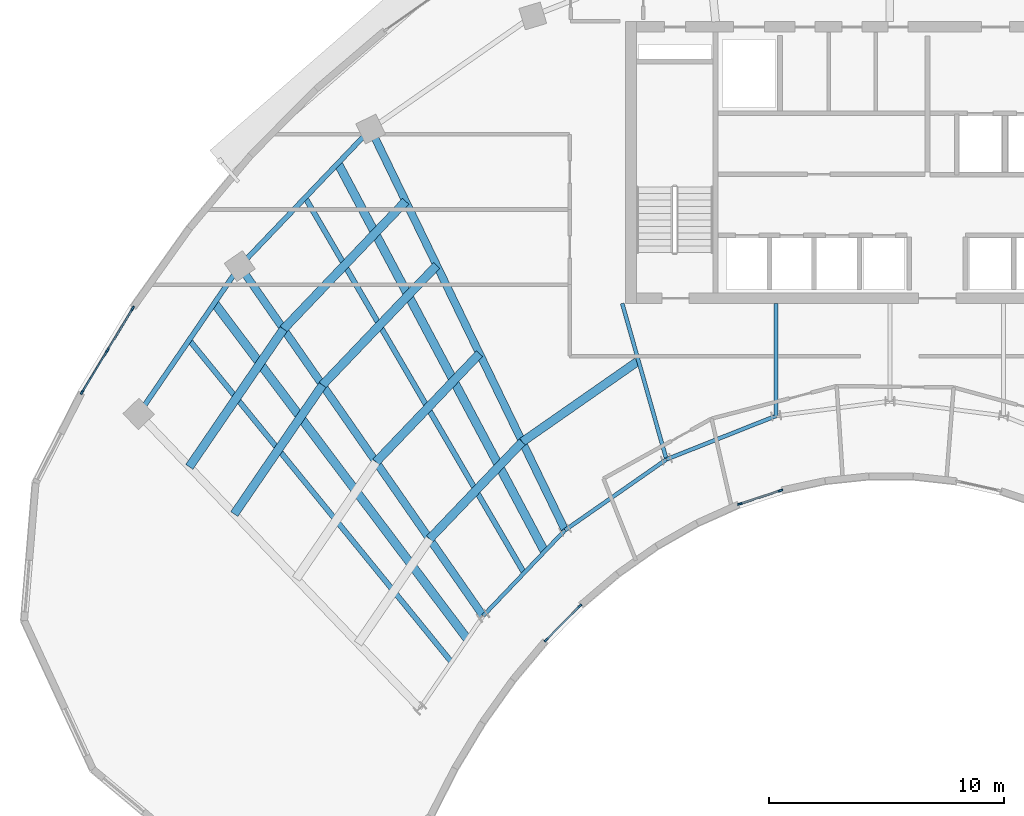
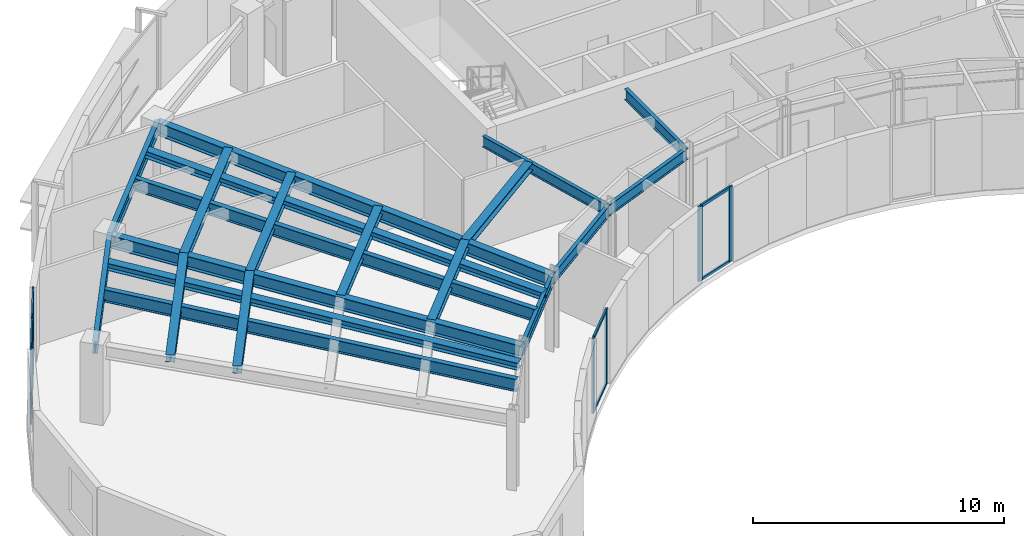
# One storey, part 2 of 12: 20 beams, 17 members, 3 elements without a shape of their own.
"""IFC4 building model written with IfcOpenShell, lengths in metres."""

from ifc_helpers import new_model, si_unit, direction, frame, origin, origin_2d, place, context, subcontext, project, spatial, rectangle, i_section, extrude, source, transform, mapped, material, layer, layer_set, material_profile, profile_set, type_object, type_shapes, element, aggregate, save


model = new_model("IFC4")

# Units and contexts
model_context = context("Model", 3, precision=1e-05, world=origin(), true_north=direction((0.0, 1.0)))
body_context = subcontext(model_context, "Body", "Model", "MODEL_VIEW")
ifc_project = project(units=[si_unit("LENGTHUNIT", "METRE"), si_unit("AREAUNIT", "SQUARE_METRE"), si_unit("VOLUMEUNIT", "CUBIC_METRE"), si_unit("PLANEANGLEUNIT", "RADIAN"), si_unit("MASSUNIT", "GRAM", prefix="KILO")], contexts=[model_context])

# Site, building, storey
site_placement = place(None, origin())
site = spatial("IfcSite", under=ifc_project, at=site_placement, CompositionType="ELEMENT")
building_placement = place(site_placement, origin())
building = spatial("IfcBuilding", under=site, at=building_placement, Name="Breltana Convention Tower", CompositionType="ELEMENT")
storey_placement = place(building_placement, frame((0.0, 0.0, 239.10009765625)))
storey = spatial("IfcBuildingStorey", under=building, at=storey_placement, Name="L58", CompositionType="ELEMENT", Elevation=239.10009765625)

# Beams
ifc_material_1 = material(Name="Steel ASTM A992 Grade 50", Category="steel")
ifc_material_profile_1 = material_profile(ifc_material_1, i_section(OverallWidth=0.166015625, OverallDepth=0.534912109375, WebThickness=0.01025390625, FlangeThickness=0.0166015625, at=origin_2d()), Name="W21X57")
ifc_profile_set_1 = profile_set([ifc_material_profile_1], Name="Steel ASTM A992 Grade 50")
beam_type_1 = type_object("IfcBeamType", Name="BM-BM-W21X57", PredefinedType="BEAM", material=ifc_profile_set_1)
shared_shape_1 = source(origin(), body_context, "Body", "SweptSolid", [
    extrude(i_section(OverallWidth=0.166015625, OverallDepth=0.534912109375, WebThickness=0.01025390625, FlangeThickness=0.0166015625, at=origin_2d()), origin(), (0.0, 0.0, 1.0), 6.904541015625),
])
type_shapes(beam_type_1, [shared_shape_1])
beam_1_placement = place(storey_placement, frame((36.60009765625, 60.199951171875, 3.38232421875), z_axis=(0.273006781054, -0.962012108811, 0.0), x_axis=(0.962012108811, 0.273006781054, 0.0)))
element("IfcBeam", 1, at=beam_1_placement, inside=storey, type_object=beam_type_1, Name="L58 South Core Tie Girder R04", PredefinedType="BEAM", context=body_context, shape_type="MappedRepresentation", body=[
    mapped(shared_shape_1, transform((0.0, 0.0, 0.0), scale=1.0)),
])
shared_shape_2 = source(origin(), body_context, "Body", "SweptSolid", [
    extrude(i_section(OverallWidth=0.166015625, OverallDepth=0.534912109375, WebThickness=0.01025390625, FlangeThickness=0.0166015625, at=origin_2d()), origin(), (0.0, 0.0, 1.0), 4.789306640625),
])
beam_2_placement = place(storey_placement, frame((43.153564453125, 60.199951171875, 3.38232421875), z_axis=(0.0, -1.0, 0.0), x_axis=(1.0, 0.0, 0.0)))
element("IfcBeam", 2, at=beam_2_placement, inside=storey, type_object=beam_type_1, Name="L58 South Core Tie Girder R05", PredefinedType="BEAM", context=body_context, shape_type="MappedRepresentation", body=[
    mapped(shared_shape_2, transform((0.0, 0.0, 0.0), scale=1.0)),
])
shared_shape_3 = source(origin(), body_context, "Body", "SweptSolid", [
    extrude(i_section(OverallWidth=0.166015625, OverallDepth=0.534912109375, WebThickness=0.01025390625, FlangeThickness=0.0166015625, at=origin_2d()), origin(), (0.0, 0.0, 1.0), 5.05126953125),
])
beam_3_placement = place(storey_placement, frame((30.67724609375, 46.892333984375, 3.38232421875), z_axis=(0.690729753845, 0.7231129975, 0.0), x_axis=(-0.7231129975, 0.690729753845, 0.0)))
element("IfcBeam", 3, at=beam_3_placement, inside=storey, type_object=beam_type_1, Name="L58 Inner Ring Beam 02", PredefinedType="BEAM", context=body_context, shape_type="MappedRepresentation", body=[
    mapped(shared_shape_3, transform((0.0, 0.0, 0.0), scale=1.0)),
])
shared_shape_4 = source(origin(), body_context, "Body", "SweptSolid", [
    extrude(i_section(OverallWidth=0.166015625, OverallDepth=0.534912109375, WebThickness=0.01025390625, FlangeThickness=0.0166015625, at=origin_2d()), origin(), (0.0, 0.0, 1.0), 5.265869140625),
])
beam_4_placement = place(storey_placement, frame((34.166259765625, 50.544921875, 3.38232421875), z_axis=(0.820167429517, 0.572123577176, 0.0), x_axis=(-0.572123577176, 0.820167429517, 0.0)))
element("IfcBeam", 4, at=beam_4_placement, inside=storey, type_object=beam_type_1, Name="L58 Inner Ring Beam 03", PredefinedType="BEAM", context=body_context, shape_type="MappedRepresentation", body=[
    mapped(shared_shape_4, transform((0.0, 0.0, 0.0), scale=1.0)),
])
shared_shape_5 = source(origin(), body_context, "Body", "SweptSolid", [
    extrude(i_section(OverallWidth=0.166015625, OverallDepth=0.534912109375, WebThickness=0.01025390625, FlangeThickness=0.0166015625, at=origin_2d()), origin(), (0.0, 0.0, 1.0), 5.022705078125),
])
beam_5_placement = place(storey_placement, frame((38.485107421875, 53.5576171875, 3.38232421875), z_axis=(0.929458966248, 0.368925507469, 0.0), x_axis=(-0.368925507469, 0.929458966248, 0.0)))
element("IfcBeam", 5, at=beam_5_placement, inside=storey, type_object=beam_type_1, Name="L58 Inner Ring Beam 04", PredefinedType="BEAM", context=body_context, shape_type="MappedRepresentation", body=[
    mapped(shared_shape_5, transform((0.0, 0.0, 0.0), scale=1.0)),
])
ifc_material_profile_2 = material_profile(ifc_material_1, i_section(OverallWidth=0.368896484375, OverallDepth=0.35595703125, WebThickness=0.01123046875, FlangeThickness=0.01806640625, at=origin_2d()), Name="W14X90")
ifc_profile_set_2 = profile_set([ifc_material_profile_2], Name="Steel ASTM A992 Grade 50")
beam_type_2 = type_object("IfcBeamType", Name="BM-JSG-09", PredefinedType="JOIST", material=ifc_profile_set_2)
shared_shape_6 = source(origin(), body_context, "Body", "SweptSolid", [
    extrude(i_section(OverallWidth=0.368896484375, OverallDepth=0.35595703125, WebThickness=0.01123046875, FlangeThickness=0.01806640625, at=origin_2d()), origin(), (0.0, 0.0, 1.0), 6.654541015625),
])
beam_6_placement = place(storey_placement, frame((20.0791015625, 51.23095703125, 3.471923828125), z_axis=(0.564482668195, 0.82544492082, 0.0), x_axis=(-0.82544492082, 0.564482668195, 0.0)))
element("IfcBeam", 6, at=beam_6_placement, inside=storey, type_object=beam_type_2, Name="L58 Composite Floor Joist 01.3", PredefinedType="JOIST", context=body_context, shape_type="MappedRepresentation", body=[
    mapped(shared_shape_6, transform((0.0, 0.0, 0.0), scale=1.0)),
])
shared_shape_7 = source(origin(), body_context, "Body", "SweptSolid", [
    extrude(i_section(OverallWidth=0.368896484375, OverallDepth=0.35595703125, WebThickness=0.01123046875, FlangeThickness=0.01806640625, at=origin_2d()), origin(), (0.0, 0.0, 1.0), 7.111328125),
])
beam_7_placement = place(storey_placement, frame((18.162841796875, 53.2373046875, 3.471923828125), z_axis=(0.564446356178, 0.825469751715, 0.0), x_axis=(-0.825469751715, 0.564446356178, 0.0)))
element("IfcBeam", 7, at=beam_7_placement, inside=storey, type_object=beam_type_2, Name="L58 Composite Floor Joist 01.4", PredefinedType="JOIST", context=body_context, shape_type="MappedRepresentation", body=[
    mapped(shared_shape_7, transform((0.0, 0.0, 0.0), scale=1.0)),
])
ifc_material_profile_3 = material_profile(ifc_material_1, i_section(OverallWidth=0.22802734375, OverallDepth=0.60791015625, WebThickness=0.01123046875, FlangeThickness=0.017333984375, at=origin_2d()), Name="W24X76")
ifc_profile_set_3 = profile_set([ifc_material_profile_3], Name="Steel ASTM A992 Grade 50")
beam_type_3 = type_object("IfcBeamType", Name="BM-JSG-02", PredefinedType="JOIST", material=ifc_profile_set_3)
shared_shape_8 = source(origin(), body_context, "Body", "SweptSolid", [
    extrude(i_section(OverallWidth=0.22802734375, OverallDepth=0.60791015625, WebThickness=0.01123046875, FlangeThickness=0.017333984375, at=origin_2d()), origin(), (0.0, 0.0, 1.0), 17.691650390625),
])
type_shapes(beam_type_3, [shared_shape_8])
beam_8_placement = place(storey_placement, frame((29.330810546875, 44.923583984375, 3.345947265625), z_axis=(-0.631476958478, 0.775394642044, 0.0), x_axis=(-0.775394642044, -0.631476958478, 0.0)))
element("IfcBeam", 8, at=beam_8_placement, inside=storey, type_object=beam_type_3, Name="L58 Mid-Bay Radial Trimmer 01", PredefinedType="JOIST", context=body_context, shape_type="MappedRepresentation", body=[
    mapped(shared_shape_8, transform((0.0, 0.0, 0.0), scale=1.0)),
])
shared_shape_9 = source(origin(), body_context, "Body", "SweptSolid", [
    extrude(i_section(OverallWidth=0.368896484375, OverallDepth=0.35595703125, WebThickness=0.01123046875, FlangeThickness=0.01806640625, at=origin_2d()), origin(), (0.0, 0.0, 1.0), 17.9072265625),
])
beam_9_placement = place(storey_placement, frame((30.00390625, 45.907958984375, 3.471923828125), z_axis=(-0.601382105028, 0.798961553363, 0.0), x_axis=(-0.798961553363, -0.601382105028, 0.0)))
element("IfcBeam", 9, at=beam_9_placement, inside=storey, type_object=beam_type_2, Name="L58 Quarter-Bay Radial Trimmer 01", PredefinedType="JOIST", context=body_context, shape_type="MappedRepresentation", body=[
    mapped(shared_shape_9, transform((0.0, 0.0, 0.0), scale=1.0)),
])
shared_shape_10 = source(origin(), body_context, "Body", "SweptSolid", [
    extrude(i_section(OverallWidth=0.368896484375, OverallDepth=0.35595703125, WebThickness=0.01123046875, FlangeThickness=0.01806640625, at=origin_2d()), origin(), (0.0, 0.0, 1.0), 5.716064453125),
])
beam_10_placement = place(storey_placement, frame((28.396484375, 50.169677734375, 3.471923828125), z_axis=(0.690756060045, 0.723087868458, 0.0), x_axis=(-0.723087868458, 0.690756060045, 0.0)))
element("IfcBeam", 10, at=beam_10_placement, inside=storey, type_object=beam_type_2, Name="L58 Composite Floor Joist 02.1", PredefinedType="JOIST", context=body_context, shape_type="MappedRepresentation", body=[
    mapped(shared_shape_10, transform((0.0, 0.0, 0.0), scale=1.0)),
])
shared_shape_11 = source(origin(), body_context, "Body", "SweptSolid", [
    extrude(i_section(OverallWidth=0.368896484375, OverallDepth=0.35595703125, WebThickness=0.01123046875, FlangeThickness=0.01806640625, at=origin_2d()), origin(), (0.0, 0.0, 1.0), 6.381103515625),
])
beam_11_placement = place(storey_placement, frame((26.115966796875, 53.44677734375, 3.471923828125), z_axis=(0.690737768889, 0.723105341309, 0.0), x_axis=(-0.723105341309, 0.690737768889, 0.0)))
element("IfcBeam", 11, at=beam_11_placement, inside=storey, type_object=beam_type_2, Name="L58 Composite Floor Joist 02.2", PredefinedType="JOIST", context=body_context, shape_type="MappedRepresentation", body=[
    mapped(shared_shape_11, transform((0.0, 0.0, 0.0), scale=1.0)),
])
shared_shape_12 = source(origin(), body_context, "Body", "SweptSolid", [
    extrude(i_section(OverallWidth=0.368896484375, OverallDepth=0.35595703125, WebThickness=0.01123046875, FlangeThickness=0.01806640625, at=origin_2d()), origin(), (0.0, 0.0, 1.0), 7.046142578125),
])
beam_12_placement = place(storey_placement, frame((23.83544921875, 56.723876953125, 3.471923828125), z_axis=(0.690722929904, 0.723119515782, 0.0), x_axis=(-0.723119515782, 0.690722929904, 0.0)))
element("IfcBeam", 12, at=beam_12_placement, inside=storey, type_object=beam_type_2, Name="L58 Composite Floor Joist 02.3", PredefinedType="JOIST", context=body_context, shape_type="MappedRepresentation", body=[
    mapped(shared_shape_12, transform((0.0, 0.0, 0.0), scale=1.0)),
])
shared_shape_13 = source(origin(), body_context, "Body", "SweptSolid", [
    extrude(i_section(OverallWidth=0.368896484375, OverallDepth=0.35595703125, WebThickness=0.01123046875, FlangeThickness=0.01806640625, at=origin_2d()), origin(), (0.0, 0.0, 1.0), 7.529541015625),
])
beam_13_placement = place(storey_placement, frame((22.1767578125, 59.107421875, 3.471923828125), z_axis=(0.690725562031, 0.723117001568, 0.0), x_axis=(-0.723117001568, 0.690725562031, 0.0)))
element("IfcBeam", 13, at=beam_13_placement, inside=storey, type_object=beam_type_2, Name="L58 Composite Floor Joist 02.4", PredefinedType="JOIST", context=body_context, shape_type="MappedRepresentation", body=[
    mapped(shared_shape_13, transform((0.0, 0.0, 0.0), scale=1.0)),
])
shared_shape_14 = source(origin(), body_context, "Body", "SweptSolid", [
    extrude(i_section(OverallWidth=0.22802734375, OverallDepth=0.60791015625, WebThickness=0.01123046875, FlangeThickness=0.017333984375, at=origin_2d()), origin(), (0.0, 0.0, 1.0), 18.50830078125),
])
beam_14_placement = place(storey_placement, frame((32.421630859375, 48.71875, 3.345947265625), z_axis=(-0.50368319637, 0.863888440537, 0.0), x_axis=(-0.863888440537, -0.50368319637, 0.0)))
element("IfcBeam", 14, at=beam_14_placement, inside=storey, type_object=beam_type_3, Name="L58 Mid-Bay Radial Trimmer 02", PredefinedType="JOIST", context=body_context, shape_type="MappedRepresentation", body=[
    mapped(shared_shape_14, transform((0.0, 0.0, 0.0), scale=1.0)),
])
shared_shape_15 = source(origin(), body_context, "Body", "SweptSolid", [
    extrude(i_section(OverallWidth=0.368896484375, OverallDepth=0.35595703125, WebThickness=0.01123046875, FlangeThickness=0.01806640625, at=origin_2d()), origin(), (0.0, 0.0, 1.0), 18.731689453125),
])
beam_15_placement = place(storey_placement, frame((33.2939453125, 49.6318359375, 3.471923828125), z_axis=(-0.469820250451, 0.882762104004, 0.0), x_axis=(-0.882762104004, -0.469820250451, 0.0)))
element("IfcBeam", 15, at=beam_15_placement, inside=storey, type_object=beam_type_2, Name="L58 Quarter-Bay Radial Trimmer 02", PredefinedType="JOIST", context=body_context, shape_type="MappedRepresentation", body=[
    mapped(shared_shape_15, transform((0.0, 0.0, 0.0), scale=1.0)),
])
shared_shape_16 = source(origin(), body_context, "Body", "SweptSolid", [
    extrude(i_section(OverallWidth=0.368896484375, OverallDepth=0.35595703125, WebThickness=0.01123046875, FlangeThickness=0.01806640625, at=origin_2d()), origin(), (0.0, 0.0, 1.0), 5.959228515625),
])
beam_16_placement = place(storey_placement, frame((32.344970703125, 54.302978515625, 3.471923828125), z_axis=(0.820160485262, 0.572133531979, 0.0), x_axis=(-0.572133531979, 0.820160485262, 0.0)))
element("IfcBeam", 16, at=beam_16_placement, inside=storey, type_object=beam_type_2, Name="L58 Composite Floor Joist 03.1", PredefinedType="JOIST", context=body_context, shape_type="MappedRepresentation", body=[
    mapped(shared_shape_16, transform((0.0, 0.0, 0.0), scale=1.0)),
])
ifc_material_profile_4 = material_profile(ifc_material_1, i_section(OverallWidth=0.326904296875, OverallDepth=0.6220703125, WebThickness=0.015380859375, FlangeThickness=0.0244140625, at=origin_2d()), Name="W24X131")
ifc_profile_set_4 = profile_set([ifc_material_profile_4], Name="Steel ASTM A992 Grade 50")
beam_type_4 = type_object("IfcBeamType", Name="BM-RG-W24X131", PredefinedType="USERDEFINED", material=ifc_profile_set_4)
shared_shape_17 = source(origin(), body_context, "Body", "SweptSolid", [
    extrude(i_section(OverallWidth=0.326904296875, OverallDepth=0.6220703125, WebThickness=0.015380859375, FlangeThickness=0.0244140625, at=origin_2d()), origin(), (0.0, 0.0, 1.0), 18.1484375),
])
beam_17_placement = place(storey_placement, frame((30.67724609375, 46.892333984375, 3.3388671875), z_axis=(-0.571207556098, 0.820805657788, 0.0), x_axis=(-0.820805657788, -0.571207556098, 0.0)))
element("IfcBeam", 17, at=beam_17_placement, inside=storey, type_object=beam_type_4, Name="L58 Radial Floor Girder R02", ObjectType="GIRDER", PredefinedType="USERDEFINED", context=body_context, shape_type="MappedRepresentation", body=[
    mapped(shared_shape_17, transform((0.0, 0.0, 0.0), scale=1.0)),
])
shared_shape_18 = source(origin(), body_context, "Body", "SweptSolid", [
    extrude(i_section(OverallWidth=0.326904296875, OverallDepth=0.6220703125, WebThickness=0.015380859375, FlangeThickness=0.0244140625, at=origin_2d()), origin(), (0.0, 0.0, 1.0), 18.982421875),
])
beam_18_placement = place(storey_placement, frame((34.166259765625, 50.544921875, 3.3388671875), z_axis=(-0.436118560343, 0.89988921614, 0.0), x_axis=(-0.89988921614, -0.436118560343, 0.0)))
element("IfcBeam", 18, at=beam_18_placement, inside=storey, type_object=beam_type_4, Name="L58 Radial Floor Girder R03", ObjectType="GIRDER", PredefinedType="USERDEFINED", context=body_context, shape_type="MappedRepresentation", body=[
    mapped(shared_shape_18, transform((0.0, 0.0, 0.0), scale=1.0)),
])
ifc_material_profile_5 = material_profile(ifc_material_1, i_section(OverallWidth=0.214111328125, OverallDepth=0.549072265625, WebThickness=0.0146484375, FlangeThickness=0.023681640625, at=origin_2d()), Name="W21X93")
ifc_profile_set_5 = profile_set([ifc_material_profile_5], Name="Steel ASTM A992 Grade 50")
beam_type_5 = type_object("IfcBeamType", Name="BM-SP-W21X93", PredefinedType="SPANDREL", material=ifc_profile_set_5)
shared_shape_19 = source(origin(), body_context, "Body", "SweptSolid", [
    extrude(i_section(OverallWidth=0.214111328125, OverallDepth=0.549072265625, WebThickness=0.0146484375, FlangeThickness=0.023681640625, at=origin_2d()), origin(), (0.0, 0.0, 1.0), 7.625),
])
type_shapes(beam_type_5, [shared_shape_19])
beam_19_placement = place(storey_placement, frame((16.0068359375, 55.494384765625, 3.37548828125), z_axis=(0.564452031902, 0.825465870694, 0.0), x_axis=(-0.825465870694, 0.564452031902, 0.0)))
element("IfcBeam", 19, at=beam_19_placement, inside=storey, type_object=beam_type_5, Name="L58 Outer Spandrel Beam 01", PredefinedType="SPANDREL", context=body_context, shape_type="MappedRepresentation", body=[
    mapped(shared_shape_19, transform((0.0, 0.0, 0.0), scale=1.0)),
])
shared_shape_20 = source(origin(), body_context, "Body", "SweptSolid", [
    extrude(i_section(OverallWidth=0.214111328125, OverallDepth=0.549072265625, WebThickness=0.0146484375, FlangeThickness=0.023681640625, at=origin_2d()), origin(), (0.0, 0.0, 1.0), 8.073974609375),
])
beam_20_placement = place(storey_placement, frame((20.310791015625, 61.78857421875, 3.37548828125), z_axis=(0.69072885448, 0.723113856588, 0.0), x_axis=(-0.723113856588, 0.69072885448, 0.0)))
element("IfcBeam", 20, at=beam_20_placement, inside=storey, type_object=beam_type_5, Name="L58 Outer Spandrel Beam 02", PredefinedType="SPANDREL", context=body_context, shape_type="MappedRepresentation", body=[
    mapped(shared_shape_20, transform((0.0, 0.0, 0.0), scale=1.0)),
])

# Curtain wall, members
ifc_material_2 = material(Name="Aluminium Anodised Bronze Frame", Category="aluminium")
ifc_layer_1 = layer(ifc_material_2, 0.18994140625, Name="Aluminium Anodised Bronze Frame")
ifc_layer_set_1 = layer_set([ifc_layer_1], Name="Aluminium Anodised Bronze Frame")
curtain_wall_type_1 = type_object("IfcCurtainWallType", Name="CW-SYS-1", PredefinedType="NOTDEFINED", material=ifc_layer_set_1)
curtain_wall_1_placement = place(storey_placement, origin())
curtain_wall_1 = element("IfcCurtainWall", 21, at=curtain_wall_1_placement, inside=storey, type_object=curtain_wall_type_1, Name="L58 inner south-court glazing 4", PredefinedType="NOTDEFINED")
ifc_material_3 = material(Name="Aluminium Anodised Bronze", Category="aluminium")
ifc_material_profile_6 = material_profile(ifc_material_3, rectangle(XDim=0.080078125, YDim=0.199951171875, at=origin_2d()), Name="CWM-80X200")
ifc_profile_set_6 = profile_set([ifc_material_profile_6], Name="Aluminium Anodised Bronze")
member_type_1 = type_object("IfcMemberType", Name="CWM-200", PredefinedType="MULLION", material=ifc_profile_set_6)
shared_shape_21 = source(origin(), body_context, "Body", "SweptSolid", [
    extrude(rectangle(XDim=0.080078125, YDim=0.199951171875, at=origin_2d()), origin(), (0.0, 0.0, 1.0), 3.64990234375),
])
member_1_placement = place(storey_placement, frame((43.340087890625, 52.228271484375, 0.0), z_axis=(0.0, 0.0, 1.0), x_axis=(0.313194220432, -0.949689096646, 0.0)))
member_1 = element("IfcMember", 22, at=member_1_placement, type_object=member_type_1, Name="CW-01 mullion 1", PredefinedType="MULLION", context=body_context, shape_type="MappedRepresentation", body=[
    mapped(shared_shape_21, transform((0.0, 0.0, 0.0), scale=1.0)),
])
member_2_placement = place(storey_placement, frame((41.61181640625, 51.658447265625, 0.0), z_axis=(0.0, 0.0, 1.0), x_axis=(0.313194220432, -0.949689096646, 0.0)))
member_2 = element("IfcMember", 23, at=member_2_placement, type_object=member_type_1, Name="CW-01 mullion 2", PredefinedType="MULLION", context=body_context, shape_type="MappedRepresentation", body=[
    mapped(shared_shape_21, transform((0.0, 0.0, 0.0), scale=1.0)),
])

curtain_wall_2_placement = place(storey_placement, origin())
curtain_wall_2 = element("IfcCurtainWall", 24, at=curtain_wall_2_placement, inside=storey, type_object=curtain_wall_type_1, Name="L58 inner south-court glazing 5", PredefinedType="NOTDEFINED")
member_3_placement = place(storey_placement, frame((34.790771484375, 47.31103515625, 0.0), z_axis=(0.0, 0.0, 1.0), x_axis=(0.711501409156, -0.702684669513, 0.0)))
member_3 = element("IfcMember", 25, at=member_3_placement, type_object=member_type_1, Name="CW-01 mullion 1", PredefinedType="MULLION", context=body_context, shape_type="MappedRepresentation", body=[
    mapped(shared_shape_21, transform((0.0, 0.0, 0.0), scale=1.0)),
])
member_4_placement = place(storey_placement, frame((33.36474609375, 45.866943359375, 0.0), z_axis=(0.0, 0.0, 1.0), x_axis=(0.711501409156, -0.702684669513, 0.0)))
member_4 = element("IfcMember", 26, at=member_4_placement, type_object=member_type_1, Name="CW-01 mullion 2", PredefinedType="MULLION", context=body_context, shape_type="MappedRepresentation", body=[
    mapped(shared_shape_21, transform((0.0, 0.0, 0.0), scale=1.0)),
])

ifc_layer_2 = layer(ifc_material_2, 0.219970703125, Name="Aluminium Anodised Bronze Frame")
ifc_layer_set_2 = layer_set([ifc_layer_2], Name="Aluminium Anodised Bronze Frame")
curtain_wall_type_2 = type_object("IfcCurtainWallType", Name="CW-SYS-4", PredefinedType="NOTDEFINED", material=ifc_layer_set_2)
curtain_wall_3_placement = place(storey_placement, origin())
curtain_wall_3 = element("IfcCurtainWall", 27, at=curtain_wall_3_placement, inside=storey, type_object=curtain_wall_type_2, Name="L58 outer double-skin inner glazing 1", PredefinedType="NOTDEFINED")
member_5_placement = place(storey_placement, frame((13.59912109375, 56.421630859375, 0.0), z_axis=(0.0, 0.0, 1.0), x_axis=(-0.856060706117, 0.516875291963, 0.0)))
member_5 = element("IfcMember", 28, at=member_5_placement, type_object=member_type_1, Name="CW-04 mullion 1", PredefinedType="MULLION", context=body_context, shape_type="MappedRepresentation", body=[
    mapped(shared_shape_21, transform((0.0, 0.0, 0.0), scale=1.0)),
])
member_6_placement = place(storey_placement, frame((14.6748046875, 58.203125, 0.0), z_axis=(0.0, 0.0, 1.0), x_axis=(-0.856060706117, 0.516875291963, 0.0)))
member_6 = element("IfcMember", 29, at=member_6_placement, type_object=member_type_1, Name="CW-04 mullion 2", PredefinedType="MULLION", context=body_context, shape_type="MappedRepresentation", body=[
    mapped(shared_shape_21, transform((0.0, 0.0, 0.0), scale=1.0)),
])
member_7_placement = place(storey_placement, frame((15.75048828125, 59.984619140625, 0.0), z_axis=(0.0, 0.0, 1.0), x_axis=(-0.856060706117, 0.516875291963, 0.0)))
member_7 = element("IfcMember", 30, at=member_7_placement, type_object=member_type_1, Name="CW-04 mullion 3", PredefinedType="MULLION", context=body_context, shape_type="MappedRepresentation", body=[
    mapped(shared_shape_21, transform((0.0, 0.0, 0.0), scale=1.0)),
])
ifc_material_profile_7 = material_profile(ifc_material_3, rectangle(XDim=0.070068359375, YDim=0.1201171875, at=origin_2d()), Name="CWT-70X120")
ifc_profile_set_7 = profile_set([ifc_material_profile_7], Name="Aluminium Anodised Bronze")
member_type_2 = type_object("IfcMemberType", Name="CWT-120", PredefinedType="USERDEFINED", material=ifc_profile_set_7)
shared_shape_22 = source(origin(), body_context, "Body", "SweptSolid", [
    extrude(rectangle(XDim=0.070068359375, YDim=0.1201171875, at=origin_2d()), origin(), (0.0, 0.0, 1.0), 2.001220703125),
])
member_8_placement = place(storey_placement, frame((13.61962890625, 56.455810546875, 0.034912109375), z_axis=(0.516897775642, 0.856047130441, 0.0), x_axis=(-0.856047130441, 0.516897775642, 0.0)))
member_8 = element("IfcMember", 31, at=member_8_placement, type_object=member_type_2, Name="CW-04 transom 1.1", ObjectType="TRANSOM", PredefinedType="USERDEFINED", context=body_context, shape_type="MappedRepresentation", body=[
    mapped(shared_shape_22, transform((0.0, 0.0, 0.0), scale=1.0)),
])
member_9_placement = place(storey_placement, frame((13.61962890625, 56.455810546875, 2.372314453125), z_axis=(0.516897775642, 0.856047130441, 0.0), x_axis=(-0.856047130441, 0.516897775642, 0.0)))
member_9 = element("IfcMember", 32, at=member_9_placement, type_object=member_type_2, Name="CW-04 transom 1.2", ObjectType="TRANSOM", PredefinedType="USERDEFINED", context=body_context, shape_type="MappedRepresentation", body=[
    mapped(shared_shape_22, transform((0.0, 0.0, 0.0), scale=1.0)),
])
member_10_placement = place(storey_placement, frame((13.61962890625, 56.455810546875, 3.614990234375), z_axis=(0.516897775642, 0.856047130441, 0.0), x_axis=(-0.856047130441, 0.516897775642, 0.0)))
member_10 = element("IfcMember", 33, at=member_10_placement, type_object=member_type_2, Name="CW-04 transom 1.3", ObjectType="TRANSOM", PredefinedType="USERDEFINED", context=body_context, shape_type="MappedRepresentation", body=[
    mapped(shared_shape_22, transform((0.0, 0.0, 0.0), scale=1.0)),
])
member_11_placement = place(storey_placement, frame((14.6953125, 58.2373046875, 0.034912109375), z_axis=(0.516897775642, 0.856047130441, 0.0), x_axis=(-0.856047130441, 0.516897775642, 0.0)))
member_11 = element("IfcMember", 34, at=member_11_placement, type_object=member_type_2, Name="CW-04 transom 2.1", ObjectType="TRANSOM", PredefinedType="USERDEFINED", context=body_context, shape_type="MappedRepresentation", body=[
    mapped(shared_shape_22, transform((0.0, 0.0, 0.0), scale=1.0)),
])
member_12_placement = place(storey_placement, frame((14.6953125, 58.2373046875, 2.372314453125), z_axis=(0.516897775642, 0.856047130441, 0.0), x_axis=(-0.856047130441, 0.516897775642, 0.0)))
member_12 = element("IfcMember", 35, at=member_12_placement, type_object=member_type_2, Name="CW-04 transom 2.2", ObjectType="TRANSOM", PredefinedType="USERDEFINED", context=body_context, shape_type="MappedRepresentation", body=[
    mapped(shared_shape_22, transform((0.0, 0.0, 0.0), scale=1.0)),
])
member_13_placement = place(storey_placement, frame((14.6953125, 58.2373046875, 3.614990234375), z_axis=(0.516897775642, 0.856047130441, 0.0), x_axis=(-0.856047130441, 0.516897775642, 0.0)))
member_13 = element("IfcMember", 36, at=member_13_placement, type_object=member_type_2, Name="CW-04 transom 2.3", ObjectType="TRANSOM", PredefinedType="USERDEFINED", context=body_context, shape_type="MappedRepresentation", body=[
    mapped(shared_shape_22, transform((0.0, 0.0, 0.0), scale=1.0)),
])
aggregate(curtain_wall_3, [member_5, member_6, member_7, member_8, member_9, member_10, member_11, member_12, member_13])

# Member
ifc_material_profile_8 = material_profile(ifc_material_3, rectangle(XDim=0.080078125, YDim=0.139892578125, at=origin_2d()), Name="CWT-80X140")
ifc_profile_set_8 = profile_set([ifc_material_profile_8], Name="Aluminium Anodised Bronze")
member_type_3 = type_object("IfcMemberType", Name="CWT-140", PredefinedType="USERDEFINED", material=ifc_profile_set_8)
shared_shape_23 = source(origin(), body_context, "Body", "SweptSolid", [
    extrude(rectangle(XDim=0.080078125, YDim=0.139892578125, at=origin_2d()), origin(), (0.0, 0.0, 1.0), 1.739990234375),
])
member_14_placement = place(storey_placement, frame((43.30224609375, 52.2158203125, 0.039794921875), z_axis=(-0.94968876353, -0.313195230526, 0.0), x_axis=(0.313195230526, -0.94968876353, 0.0)))
member_14 = element("IfcMember", 37, at=member_14_placement, type_object=member_type_3, Name="CW-01 transom 1.1", ObjectType="TRANSOM", PredefinedType="USERDEFINED", context=body_context, shape_type="MappedRepresentation", body=[
    mapped(shared_shape_23, transform((0.0, 0.0, 0.0), scale=1.0)),
])

member_15_placement = place(storey_placement, frame((43.30224609375, 52.2158203125, 3.60986328125), z_axis=(-0.94968876353, -0.313195230526, 0.0), x_axis=(0.313195230526, -0.94968876353, 0.0)))
member_15 = element("IfcMember", 38, at=member_15_placement, type_object=member_type_3, Name="CW-01 transom 1.2", ObjectType="TRANSOM", PredefinedType="USERDEFINED", context=body_context, shape_type="MappedRepresentation", body=[
    mapped(shared_shape_23, transform((0.0, 0.0, 0.0), scale=1.0)),
])

aggregate(curtain_wall_1, [member_1, member_2, member_14, member_15])

shared_shape_24 = source(origin(), body_context, "Body", "SweptSolid", [
    extrude(rectangle(XDim=0.080078125, YDim=0.139892578125, at=origin_2d()), origin(), (0.0, 0.0, 1.0), 1.94970703125),
])
member_16_placement = place(storey_placement, frame((34.7626953125, 47.28271484375, 0.039794921875), z_axis=(-0.702647257171, -0.711538355952, 0.0), x_axis=(0.711538355952, -0.702647257171, 0.0)))
member_16 = element("IfcMember", 39, at=member_16_placement, type_object=member_type_3, Name="CW-01 transom 1.1", ObjectType="TRANSOM", PredefinedType="USERDEFINED", context=body_context, shape_type="MappedRepresentation", body=[
    mapped(shared_shape_24, transform((0.0, 0.0, 0.0), scale=1.0)),
])

member_17_placement = place(storey_placement, frame((34.7626953125, 47.28271484375, 3.60986328125), z_axis=(-0.702647257171, -0.711538355952, 0.0), x_axis=(0.711538355952, -0.702647257171, 0.0)))
member_17 = element("IfcMember", 40, at=member_17_placement, type_object=member_type_3, Name="CW-01 transom 1.2", ObjectType="TRANSOM", PredefinedType="USERDEFINED", context=body_context, shape_type="MappedRepresentation", body=[
    mapped(shared_shape_24, transform((0.0, 0.0, 0.0), scale=1.0)),
])

aggregate(curtain_wall_2, [member_3, member_4, member_16, member_17])

save(model, "model.ifc")
